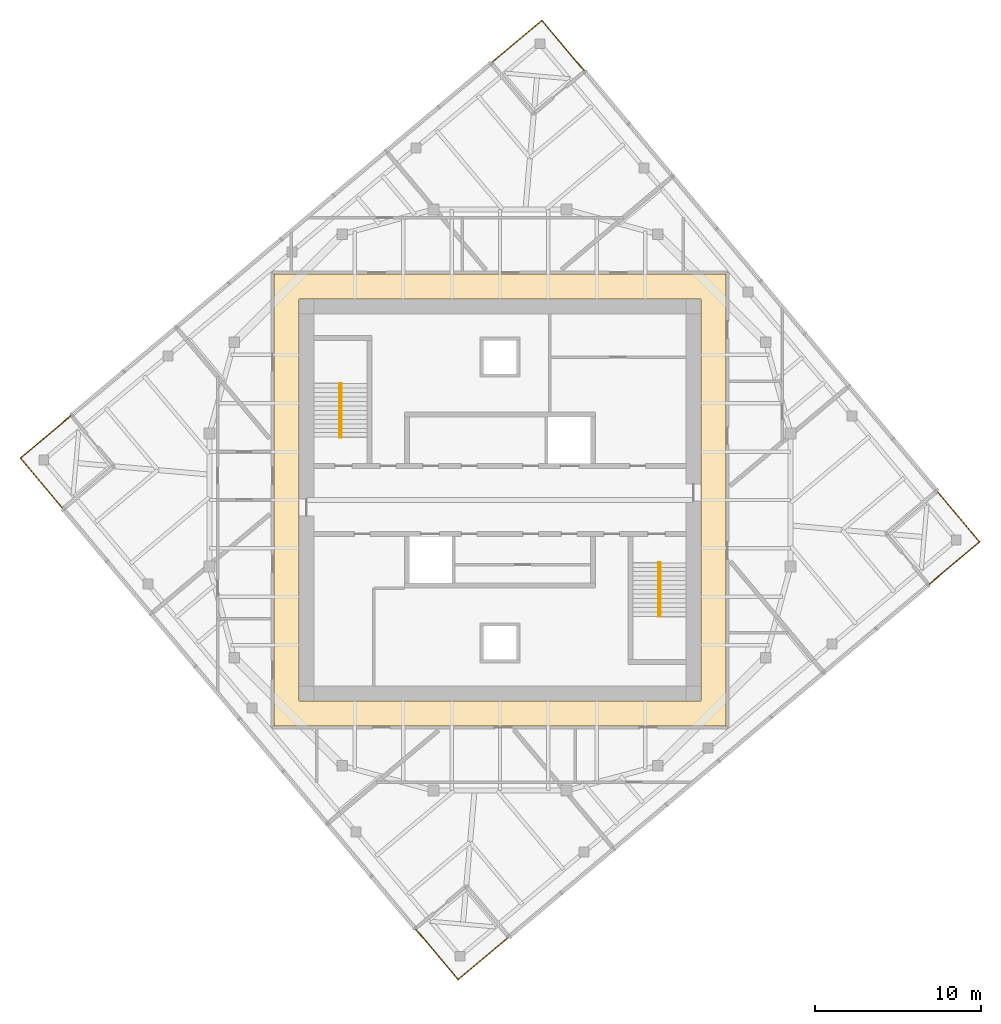
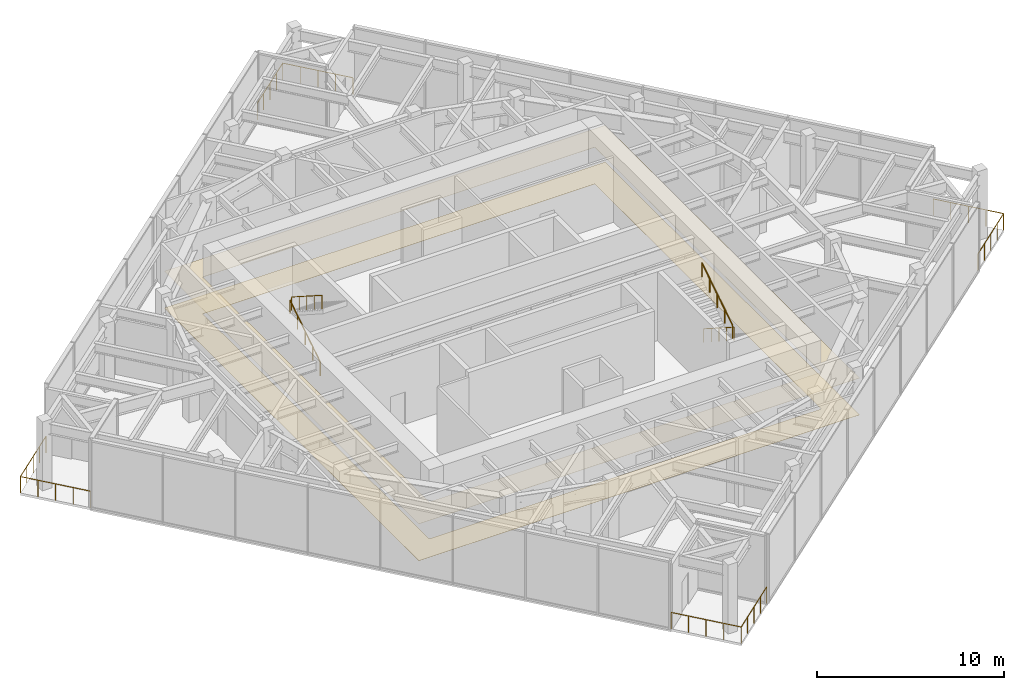
# One storey, part 11 of 11: 8 railings, 2 coverings, 2 elements without a shape of their own.
"""IFC4 building model written with IfcOpenShell, lengths in metres."""

from ifc_helpers import new_model, si_unit, direction, frame, origin, origin_2d, place, context, subcontext, project, spatial, polyline, circle, outline, extrude, material, layer, layer_set, type_object, element, aggregate, save


model = new_model("IFC4")

# Units and contexts
model_context = context("Model", 3, precision=1e-05, world=origin(), true_north=direction((0.0, 1.0)))
body_context = subcontext(model_context, "Body", "Model", "MODEL_VIEW")
ifc_project = project(units=[si_unit("LENGTHUNIT", "METRE"), si_unit("AREAUNIT", "SQUARE_METRE"), si_unit("VOLUMEUNIT", "CUBIC_METRE"), si_unit("PLANEANGLEUNIT", "RADIAN"), si_unit("MASSUNIT", "GRAM", prefix="KILO")], contexts=[model_context])

# Site, building, storey
site_placement = place(None, origin())
site = spatial("IfcSite", under=ifc_project, at=site_placement, CompositionType="ELEMENT")
building_placement = place(site_placement, origin())
building = spatial("IfcBuilding", under=site, at=building_placement, Name="Torsade Residences", CompositionType="ELEMENT")
storey_placement = place(building_placement, frame((0.0, 0.0, 304.300048828125)))
storey = spatial("IfcBuildingStorey", under=building, at=storey_placement, Name="L84", CompositionType="ELEMENT", Elevation=304.300048828125)

# Coverings
ifc_material_1 = material(Name="Nylon carpet tile on underlay", Category="textile")
ifc_layer_1 = layer(ifc_material_1, 0.010009765625)
ifc_layer_set_1 = layer_set([ifc_layer_1], Name="Nylon carpet tile on underlay")
covering_type_1 = type_object("IfcCoveringType", Name="CORRIDOR CARPET TILE 10", PredefinedType="FLOORING", material=ifc_layer_set_1)
covering_1_placement = place(storey_placement, origin())
element("IfcCovering", 1, at=covering_1_placement, inside=storey, type_object=covering_type_1, Name="Corridor carpet L84", PredefinedType="FLOORING", context=body_context, shape_type="SweptSolid", body=[
    extrude(outline(polyline([(26.39990234375, 16.39990234375), (53.60009765625, 16.39990234375), (53.60009765625, 43.60009765625), (26.39990234375, 43.60009765625), (26.39990234375, 16.39990234375)]), holes=[polyline([(27.89990234375, 42.10009765625), (27.89990234375, 17.89990234375), (52.10009765625, 17.89990234375), (52.10009765625, 42.10009765625), (27.89990234375, 42.10009765625)])]), origin(), (0.0, 0.0, 1.0), 0.010009765625),
])
ifc_material_2 = material(Name="Plasterboard on suspended steel grid", Category="steel")
ifc_layer_2 = layer(ifc_material_2, 0.012939453125)
ifc_layer_set_2 = layer_set([ifc_layer_2], Name="Plasterboard on suspended steel grid")
covering_type_2 = type_object("IfcCoveringType", Name="CORRIDOR SUSPENDED CEILING 13", PredefinedType="CEILING", material=ifc_layer_set_2)
covering_2_placement = place(storey_placement, frame((0.0, 0.0, 2.39990234375)))
element("IfcCovering", 2, at=covering_2_placement, inside=storey, type_object=covering_type_2, Name="Corridor ceiling L84", PredefinedType="CEILING", context=body_context, shape_type="SweptSolid", body=[
    extrude(outline(polyline([(26.39990234375, 16.39990234375), (53.60009765625, 16.39990234375), (53.60009765625, 43.60009765625), (26.39990234375, 43.60009765625), (26.39990234375, 16.39990234375)]), holes=[polyline([(27.89990234375, 42.10009765625), (27.89990234375, 17.89990234375), (52.10009765625, 17.89990234375), (52.10009765625, 42.10009765625), (27.89990234375, 42.10009765625)])]), origin(), (0.0, 0.0, 1.0), 0.012939453125),
])

# Stair, railings
ifc_material_3 = material(Name="Precast concrete 40 MPa", Category="concrete")
stair_type = type_object("IfcStairType", Name="HALF-TURN FIRE STAIR 1500x4500", PredefinedType="HALF_TURN_STAIR", material=ifc_material_3)
stair_1_placement = place(storey_placement, origin())
stair_1 = element("IfcStair", 3, at=stair_1_placement, inside=storey, type_object=stair_type, Name="Stair ST1 L84", PredefinedType="HALF_TURN_STAIR")
ifc_material_4 = material(Name="Steel handrail", Category="steel")
railing_type_1 = type_object("IfcRailingType", Name="STAIR HANDRAIL 900", PredefinedType="HANDRAIL", material=ifc_material_4)
railing_1_placement = place(storey_placement, frame((30.35009765625, 33.780029296875, 0.173095703125)))
railing_1 = element("IfcRailing", 4, at=railing_1_placement, type_object=railing_type_1, Name="Handrail ST1 flight 1 L84", PredefinedType="HANDRAIL", context=body_context, shape_type="SweptSolid", body=[
    extrude(circle(Radius=0.02392578125, at=origin_2d()), frame((0.0, 0.0, 0.8759765625), z_axis=(0.0, 0.841880617004, 0.539663808971), x_axis=(-1.0, 0.0, 0.0)), (0.0, 0.0, 1.0), 3.8486328125),
    extrude(circle(Radius=0.02099609375, at=origin_2d()), origin(), (0.0, 0.0, 1.0), 0.851806640625),
    extrude(circle(Radius=0.02099609375, at=origin_2d()), frame((0.0, 0.81005859375, 0.519287109375)), (0.0, 0.0, 1.0), 0.851806640625),
    extrude(circle(Radius=0.02099609375, at=origin_2d()), frame((0.0, 1.6201171875, 1.03857421875)), (0.0, 0.0, 1.0), 0.851806640625),
    extrude(circle(Radius=0.02099609375, at=origin_2d()), frame((0.0, 2.429931640625, 1.5576171875)), (0.0, 0.0, 1.0), 0.851806640625),
    extrude(circle(Radius=0.02099609375, at=origin_2d()), frame((0.0, 3.239990234375, 2.076904296875)), (0.0, 0.0, 1.0), 0.851806640625),
])
railing_2_placement = place(storey_placement, frame((30.449951171875, 37.02001953125, 2.423095703125)))
railing_2 = element("IfcRailing", 5, at=railing_2_placement, type_object=railing_type_1, Name="Handrail ST1 flight 2 L84", PredefinedType="HANDRAIL", context=body_context, shape_type="SweptSolid", body=[
    extrude(circle(Radius=0.02392578125, at=origin_2d()), frame((0.0, 0.0, 0.8759765625), z_axis=(0.0, -0.841880617004, 0.539663808971), x_axis=(1.0, 0.0, 0.0)), (0.0, 0.0, 1.0), 3.8486328125),
    extrude(circle(Radius=0.02099609375, at=origin_2d()), origin(), (0.0, 0.0, 1.0), 0.851806640625),
    extrude(circle(Radius=0.02099609375, at=origin_2d()), frame((0.0, -0.81005859375, 0.519287109375)), (0.0, 0.0, 1.0), 0.851806640625),
    extrude(circle(Radius=0.02099609375, at=origin_2d()), frame((0.0, -1.6201171875, 1.03857421875)), (0.0, 0.0, 1.0), 0.851806640625),
    extrude(circle(Radius=0.02099609375, at=origin_2d()), frame((0.0, -2.429931640625, 1.5576171875)), (0.0, 0.0, 1.0), 0.851806640625),
    extrude(circle(Radius=0.02099609375, at=origin_2d()), frame((0.0, -3.239990234375, 2.076904296875)), (0.0, 0.0, 1.0), 0.851806640625),
])
aggregate(stair_1, [railing_1, railing_2])

stair_2_placement = place(storey_placement, origin())
stair_2 = element("IfcStair", 6, at=stair_2_placement, inside=storey, type_object=stair_type, Name="Stair ST2 L84", PredefinedType="HALF_TURN_STAIR")
railing_3_placement = place(storey_placement, frame((49.64990234375, 26.219970703125, 0.173095703125)))
railing_3 = element("IfcRailing", 7, at=railing_3_placement, type_object=railing_type_1, Name="Handrail ST2 flight 1 L84", PredefinedType="HANDRAIL", context=body_context, shape_type="SweptSolid", body=[
    extrude(circle(Radius=0.02392578125, at=origin_2d()), frame((0.0, 0.0, 0.8759765625), z_axis=(0.0, -0.841880617004, 0.539663808971), x_axis=(1.0, 0.0, 0.0)), (0.0, 0.0, 1.0), 3.8486328125),
    extrude(circle(Radius=0.02099609375, at=origin_2d()), origin(), (0.0, 0.0, 1.0), 0.851806640625),
    extrude(circle(Radius=0.02099609375, at=origin_2d()), frame((0.0, -0.81005859375, 0.519287109375)), (0.0, 0.0, 1.0), 0.851806640625),
    extrude(circle(Radius=0.02099609375, at=origin_2d()), frame((0.0, -1.6201171875, 1.03857421875)), (0.0, 0.0, 1.0), 0.851806640625),
    extrude(circle(Radius=0.02099609375, at=origin_2d()), frame((0.0, -2.429931640625, 1.5576171875)), (0.0, 0.0, 1.0), 0.851806640625),
    extrude(circle(Radius=0.02099609375, at=origin_2d()), frame((0.0, -3.239990234375, 2.076904296875)), (0.0, 0.0, 1.0), 0.851806640625),
])
railing_4_placement = place(storey_placement, frame((49.550048828125, 22.97998046875, 2.423095703125)))
railing_4 = element("IfcRailing", 8, at=railing_4_placement, type_object=railing_type_1, Name="Handrail ST2 flight 2 L84", PredefinedType="HANDRAIL", context=body_context, shape_type="SweptSolid", body=[
    extrude(circle(Radius=0.02392578125, at=origin_2d()), frame((0.0, 0.0, 0.8759765625), z_axis=(0.0, 0.841880617004, 0.539663808971), x_axis=(-1.0, 0.0, 0.0)), (0.0, 0.0, 1.0), 3.8486328125),
    extrude(circle(Radius=0.02099609375, at=origin_2d()), origin(), (0.0, 0.0, 1.0), 0.851806640625),
    extrude(circle(Radius=0.02099609375, at=origin_2d()), frame((0.0, 0.81005859375, 0.519287109375)), (0.0, 0.0, 1.0), 0.851806640625),
    extrude(circle(Radius=0.02099609375, at=origin_2d()), frame((0.0, 1.6201171875, 1.03857421875)), (0.0, 0.0, 1.0), 0.851806640625),
    extrude(circle(Radius=0.02099609375, at=origin_2d()), frame((0.0, 2.429931640625, 1.5576171875)), (0.0, 0.0, 1.0), 0.851806640625),
    extrude(circle(Radius=0.02099609375, at=origin_2d()), frame((0.0, 3.239990234375, 2.076904296875)), (0.0, 0.0, 1.0), 0.851806640625),
])
aggregate(stair_2, [railing_3, railing_4])

# Railings
ifc_material_5 = material(Name="Laminated glass balustrade", Category="glass")
railing_type_2 = type_object("IfcRailingType", Name="TERRACE GLASS BALUSTRADE 1100", PredefinedType="BALUSTRADE", material=ifc_material_5)
railing_5_placement = place(storey_placement, frame((65.81689453125, 24.902099609375, 0.0)))
element("IfcRailing", 9, at=railing_5_placement, inside=storey, type_object=railing_type_2, Name="Terrace balustrade SE L84", PredefinedType="BALUSTRADE", context=body_context, shape_type="SweptSolid", body=[
    extrude(circle(Radius=0.02392578125, at=origin_2d()), frame((0.0, 0.0, 1.076171875), z_axis=(0.766060656284, 0.642768287094, 0.0), x_axis=(-0.642768287094, 0.766060656284, 0.0)), (0.0, 0.0, 1.0), 4.0),
    extrude(circle(Radius=0.02392578125, at=origin_2d()), frame((3.064208984375, 2.571044921875, 1.076171875), z_axis=(-0.642804103796, 0.766030602615, 0.0), x_axis=(-0.766030602615, -0.642804103796, 0.0)), (0.0, 0.0, 1.0), 4.0),
    extrude(circle(Radius=0.02099609375, at=origin_2d()), origin(), (0.0, 0.0, 1.0), 1.052001953125),
    extrude(circle(Radius=0.02099609375, at=origin_2d()), frame((0.76611328125, 0.642822265625, 0.0)), (0.0, 0.0, 1.0), 1.052001953125),
    extrude(circle(Radius=0.02099609375, at=origin_2d()), frame((1.5322265625, 1.28564453125, 0.0)), (0.0, 0.0, 1.0), 1.052001953125),
    extrude(circle(Radius=0.02099609375, at=origin_2d()), frame((2.298095703125, 1.92822265625, 0.0)), (0.0, 0.0, 1.0), 1.052001953125),
    extrude(circle(Radius=0.02099609375, at=origin_2d()), frame((3.064208984375, 2.571044921875, 0.0)), (0.0, 0.0, 1.0), 1.052001953125),
    extrude(circle(Radius=0.02099609375, at=origin_2d()), frame((2.42138671875, 3.337158203125, 0.0)), (0.0, 0.0, 1.0), 1.052001953125),
    extrude(circle(Radius=0.02099609375, at=origin_2d()), frame((1.778564453125, 4.10302734375, 0.0)), (0.0, 0.0, 1.0), 1.052001953125),
    extrude(circle(Radius=0.02099609375, at=origin_2d()), frame((1.1357421875, 4.869140625, 0.0)), (0.0, 0.0, 1.0), 1.052001953125),
    extrude(circle(Radius=0.02099609375, at=origin_2d()), frame((0.492919921875, 5.63525390625, 0.0)), (0.0, 0.0, 1.0), 1.052001953125),
])
railing_6_placement = place(storey_placement, frame((45.097900390625, 55.81689453125, 0.0)))
element("IfcRailing", 10, at=railing_6_placement, inside=storey, type_object=railing_type_2, Name="Terrace balustrade NE L84", PredefinedType="BALUSTRADE", context=body_context, shape_type="SweptSolid", body=[
    extrude(circle(Radius=0.02392578125, at=origin_2d()), frame((0.0, 0.0, 1.076171875), z_axis=(-0.642768287094, 0.766060656284, 0.0), x_axis=(-0.766060656284, -0.642768287094, 0.0)), (0.0, 0.0, 1.0), 4.0),
    extrude(circle(Radius=0.02392578125, at=origin_2d()), frame((-2.571044921875, 3.064208984375, 1.076171875), z_axis=(-0.766030602615, -0.642804103796, 0.0), x_axis=(0.642804103796, -0.766030602615, 0.0)), (0.0, 0.0, 1.0), 4.0),
    extrude(circle(Radius=0.02099609375, at=origin_2d()), origin(), (0.0, 0.0, 1.0), 1.052001953125),
    extrude(circle(Radius=0.02099609375, at=origin_2d()), frame((-0.642822265625, 0.76611328125, 0.0)), (0.0, 0.0, 1.0), 1.052001953125),
    extrude(circle(Radius=0.02099609375, at=origin_2d()), frame((-1.28564453125, 1.5322265625, 0.0)), (0.0, 0.0, 1.0), 1.052001953125),
    extrude(circle(Radius=0.02099609375, at=origin_2d()), frame((-1.92822265625, 2.298095703125, 0.0)), (0.0, 0.0, 1.0), 1.052001953125),
    extrude(circle(Radius=0.02099609375, at=origin_2d()), frame((-2.571044921875, 3.064208984375, 0.0)), (0.0, 0.0, 1.0), 1.052001953125),
    extrude(circle(Radius=0.02099609375, at=origin_2d()), frame((-3.337158203125, 2.42138671875, 0.0)), (0.0, 0.0, 1.0), 1.052001953125),
    extrude(circle(Radius=0.02099609375, at=origin_2d()), frame((-4.10302734375, 1.778564453125, 0.0)), (0.0, 0.0, 1.0), 1.052001953125),
    extrude(circle(Radius=0.02099609375, at=origin_2d()), frame((-4.869140625, 1.1357421875, 0.0)), (0.0, 0.0, 1.0), 1.052001953125),
    extrude(circle(Radius=0.02099609375, at=origin_2d()), frame((-5.63525390625, 0.492919921875, 0.0)), (0.0, 0.0, 1.0), 1.052001953125),
])
railing_7_placement = place(storey_placement, frame((14.18310546875, 35.097900390625, 0.0)))
element("IfcRailing", 11, at=railing_7_placement, inside=storey, type_object=railing_type_2, Name="Terrace balustrade NW L84", PredefinedType="BALUSTRADE", context=body_context, shape_type="SweptSolid", body=[
    extrude(circle(Radius=0.02392578125, at=origin_2d()), frame((0.0, 0.0, 1.076171875), z_axis=(-0.766060656284, -0.642768287094, 0.0), x_axis=(0.642768287094, -0.766060656284, 0.0)), (0.0, 0.0, 1.0), 4.0),
    extrude(circle(Radius=0.02392578125, at=origin_2d()), frame((-3.064208984375, -2.571044921875, 1.076171875), z_axis=(0.642804103796, -0.766030602615, 0.0), x_axis=(0.766030602615, 0.642804103796, 0.0)), (0.0, 0.0, 1.0), 4.0),
    extrude(circle(Radius=0.02099609375, at=origin_2d()), origin(), (0.0, 0.0, 1.0), 1.052001953125),
    extrude(circle(Radius=0.02099609375, at=origin_2d()), frame((-0.76611328125, -0.642822265625, 0.0)), (0.0, 0.0, 1.0), 1.052001953125),
    extrude(circle(Radius=0.02099609375, at=origin_2d()), frame((-1.5322265625, -1.28564453125, 0.0)), (0.0, 0.0, 1.0), 1.052001953125),
    extrude(circle(Radius=0.02099609375, at=origin_2d()), frame((-2.298095703125, -1.92822265625, 0.0)), (0.0, 0.0, 1.0), 1.052001953125),
    extrude(circle(Radius=0.02099609375, at=origin_2d()), frame((-3.064208984375, -2.571044921875, 0.0)), (0.0, 0.0, 1.0), 1.052001953125),
    extrude(circle(Radius=0.02099609375, at=origin_2d()), frame((-2.42138671875, -3.337158203125, 0.0)), (0.0, 0.0, 1.0), 1.052001953125),
    extrude(circle(Radius=0.02099609375, at=origin_2d()), frame((-1.778564453125, -4.10302734375, 0.0)), (0.0, 0.0, 1.0), 1.052001953125),
    extrude(circle(Radius=0.02099609375, at=origin_2d()), frame((-1.1357421875, -4.869140625, 0.0)), (0.0, 0.0, 1.0), 1.052001953125),
    extrude(circle(Radius=0.02099609375, at=origin_2d()), frame((-0.492919921875, -5.63525390625, 0.0)), (0.0, 0.0, 1.0), 1.052001953125),
])
railing_8_placement = place(storey_placement, frame((34.902099609375, 4.18310546875, 0.0)))
element("IfcRailing", 12, at=railing_8_placement, inside=storey, type_object=railing_type_2, Name="Terrace balustrade SW L84", PredefinedType="BALUSTRADE", context=body_context, shape_type="SweptSolid", body=[
    extrude(circle(Radius=0.02392578125, at=origin_2d()), frame((0.0, 0.0, 1.076171875), z_axis=(0.642768287094, -0.766060656284, 0.0), x_axis=(0.766060656284, 0.642768287094, 0.0)), (0.0, 0.0, 1.0), 4.0),
    extrude(circle(Radius=0.02392578125, at=origin_2d()), frame((2.571044921875, -3.064208984375, 1.076171875), z_axis=(0.766030602615, 0.642804103796, 0.0), x_axis=(-0.642804103796, 0.766030602615, 0.0)), (0.0, 0.0, 1.0), 4.0),
    extrude(circle(Radius=0.02099609375, at=origin_2d()), origin(), (0.0, 0.0, 1.0), 1.052001953125),
    extrude(circle(Radius=0.02099609375, at=origin_2d()), frame((0.642822265625, -0.76611328125, 0.0)), (0.0, 0.0, 1.0), 1.052001953125),
    extrude(circle(Radius=0.02099609375, at=origin_2d()), frame((1.28564453125, -1.5322265625, 0.0)), (0.0, 0.0, 1.0), 1.052001953125),
    extrude(circle(Radius=0.02099609375, at=origin_2d()), frame((1.92822265625, -2.298095703125, 0.0)), (0.0, 0.0, 1.0), 1.052001953125),
    extrude(circle(Radius=0.02099609375, at=origin_2d()), frame((2.571044921875, -3.064208984375, 0.0)), (0.0, 0.0, 1.0), 1.052001953125),
    extrude(circle(Radius=0.02099609375, at=origin_2d()), frame((3.337158203125, -2.42138671875, 0.0)), (0.0, 0.0, 1.0), 1.052001953125),
    extrude(circle(Radius=0.02099609375, at=origin_2d()), frame((4.10302734375, -1.778564453125, 0.0)), (0.0, 0.0, 1.0), 1.052001953125),
    extrude(circle(Radius=0.02099609375, at=origin_2d()), frame((4.869140625, -1.1357421875, 0.0)), (0.0, 0.0, 1.0), 1.052001953125),
    extrude(circle(Radius=0.02099609375, at=origin_2d()), frame((5.63525390625, -0.492919921875, 0.0)), (0.0, 0.0, 1.0), 1.052001953125),
])

save(model, "model.ifc")
